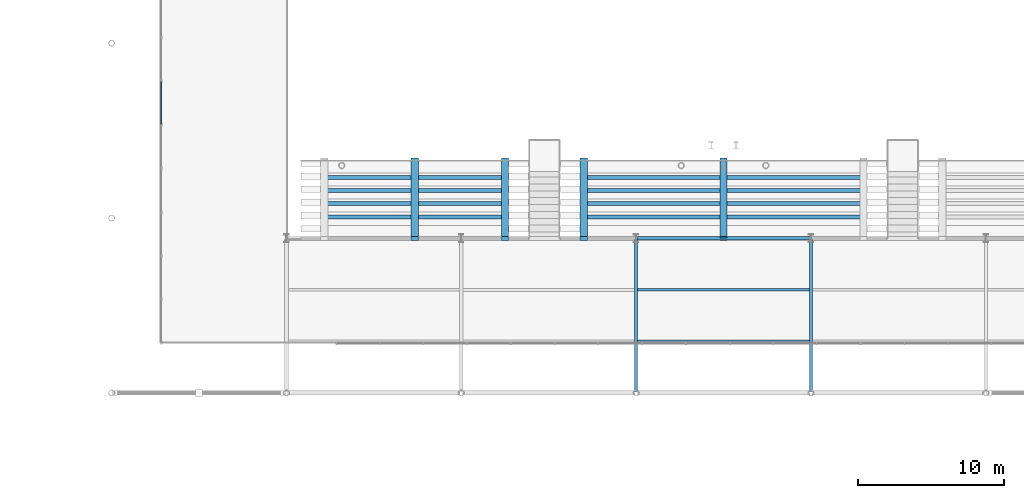
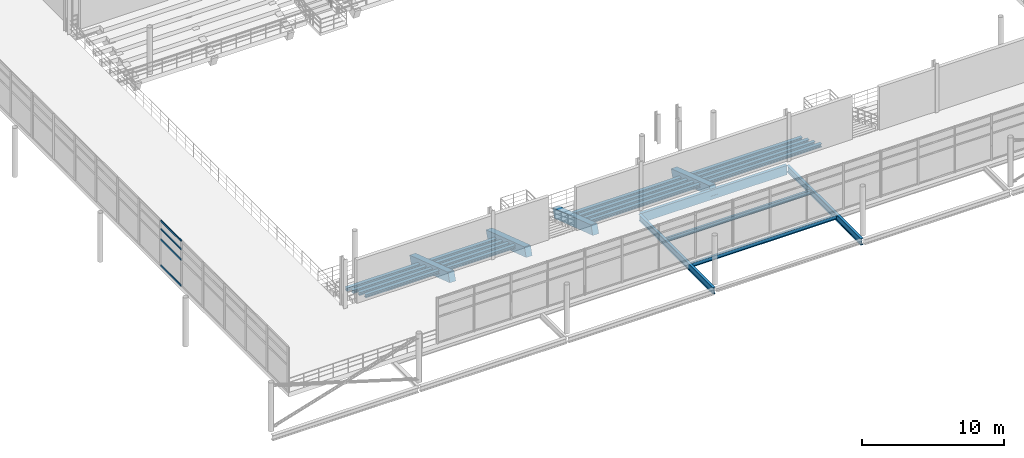
# One storey, part 28 of 89: 17 beams, 4 members, 1 element without a shape of its own.
"""IFC4 building model written with IfcOpenShell, lengths in metres."""

from ifc_helpers import new_model, si_unit, direction, frame, origin, origin_2d, place, context, subcontext, project, spatial, rectangle, i_section, extrude, material, material_profile, profile_set, type_object, element, aggregate, save


model = new_model("IFC4")

# Units and contexts
model_context = context("Model", 3, precision=1e-05, world=origin(), true_north=direction((0.0, 1.0)))
body_context = subcontext(model_context, "Body", "Model", "MODEL_VIEW")
ifc_project = project(units=[si_unit("LENGTHUNIT", "METRE"), si_unit("AREAUNIT", "SQUARE_METRE"), si_unit("VOLUMEUNIT", "CUBIC_METRE"), si_unit("PLANEANGLEUNIT", "RADIAN"), si_unit("MASSUNIT", "GRAM", prefix="KILO"), si_unit("THERMODYNAMICTEMPERATUREUNIT", "KELVIN"), si_unit("POWERUNIT", "WATT")], contexts=[model_context])

# Site, building, storey
site_placement = place(None, origin())
site = spatial("IfcSite", under=ifc_project, at=site_placement, CompositionType="ELEMENT")
building_placement = place(site_placement, origin())
building = spatial("IfcBuilding", under=site, at=building_placement, Name="Solmara Park Aquatics Centre", CompositionType="ELEMENT")
storey_placement = place(building_placement, frame((0.0, 0.0, 5.39990234375)))
storey = spatial("IfcBuildingStorey", under=building, at=storey_placement, Name="L01", CompositionType="ELEMENT", Elevation=5.39990234375)

# Curtain wall, members
ifc_material_1 = material(Name="Anodised Aluminium Curtain Wall Framing", Category="aluminium")
curtain_wall_type = type_object("IfcCurtainWallType", Name="ARC-CW-SYS05", PredefinedType="USERDEFINED", material=ifc_material_1)
curtain_wall_placement = place(storey_placement, origin())
curtain_wall = element("IfcCurtainWall", 1, at=curtain_wall_placement, inside=storey, type_object=curtain_wall_type, Name="Curtain Wall CW-014", ObjectType="CURTAIN WALL", PredefinedType="USERDEFINED")
ifc_material_2 = material(Name="Anodised Aluminium Alloy 6063-T6", Category="aluminium")
ifc_material_profile_1 = material_profile(ifc_material_2, rectangle(XDim=0.074951171875, YDim=0.14990234375, at=origin_2d()), Name="ALU TRANSOM 75x150")
ifc_profile_set_1 = profile_set([ifc_material_profile_1], Name="Anodised Aluminium Alloy 6063-T6")
member_type = type_object("IfcMemberType", Name="ARC-CWT-75x150", PredefinedType="USERDEFINED", material=ifc_profile_set_1)
member_1_placement = place(storey_placement, frame((16.0, 31.0400390625, 0.0400390625), z_axis=(0.0, 1.0, 0.0), x_axis=(-1.0, 0.0, 0.0)))
member_1 = element("IfcMember", 2, at=member_1_placement, type_object=member_type, Name="CW-014 transom 5", ObjectType="TRANSOM", PredefinedType="USERDEFINED", context=body_context, shape_type="SweptSolid", body=[
    extrude(rectangle(XDim=0.074951171875, YDim=0.14990234375, at=origin_2d()), origin(), (0.0, 0.0, 1.0), 2.89990234375),
])
member_2_placement = place(storey_placement, frame((16.0, 31.0400390625, 2.26220703125), z_axis=(0.0, 1.0, 0.0), x_axis=(-1.0, 0.0, 0.0)))
member_2 = element("IfcMember", 3, at=member_2_placement, type_object=member_type, Name="CW-014 transom 6", ObjectType="TRANSOM", PredefinedType="USERDEFINED", context=body_context, shape_type="SweptSolid", body=[
    extrude(rectangle(XDim=0.074951171875, YDim=0.14990234375, at=origin_2d()), origin(), (0.0, 0.0, 1.0), 2.89990234375),
])
member_3_placement = place(storey_placement, frame((16.0, 31.0400390625, 3.150146484375), z_axis=(0.0, 1.0, 0.0), x_axis=(-1.0, 0.0, 0.0)))
member_3 = element("IfcMember", 4, at=member_3_placement, type_object=member_type, Name="CW-014 transom 7", ObjectType="TRANSOM", PredefinedType="USERDEFINED", context=body_context, shape_type="SweptSolid", body=[
    extrude(rectangle(XDim=0.074951171875, YDim=0.14990234375, at=origin_2d()), origin(), (0.0, 0.0, 1.0), 2.89990234375),
])
member_4_placement = place(storey_placement, frame((16.0, 31.0400390625, 3.860107421875), z_axis=(0.0, 1.0, 0.0), x_axis=(-1.0, 0.0, 0.0)))
member_4 = element("IfcMember", 5, at=member_4_placement, type_object=member_type, Name="CW-014 transom 8", ObjectType="TRANSOM", PredefinedType="USERDEFINED", context=body_context, shape_type="SweptSolid", body=[
    extrude(rectangle(XDim=0.074951171875, YDim=0.14990234375, at=origin_2d()), origin(), (0.0, 0.0, 1.0), 2.89990234375),
])
aggregate(curtain_wall, [member_1, member_2, member_3, member_4])

# Beams
ifc_material_3 = material(Name="Glulam Timber GL28h", Category="wood")
ifc_material_profile_2 = material_profile(ifc_material_3, rectangle(XDim=0.239990234375, YDim=0.800048828125, at=origin_2d()), Name="GL28h 240x800")
ifc_profile_set_2 = profile_set([ifc_material_profile_2], Name="Glulam Timber GL28h")
beam_type_1 = type_object("IfcBeamType", Name="STR-BM-GL240x800", PredefinedType="BEAM", material=ifc_profile_set_2)
beam_placement = place(storey_placement, frame((48.679931640625, 23.199951171875, -0.7998046875), z_axis=(1.0, 0.0, 0.0), x_axis=(0.0, 1.0, 0.0)))
element("IfcBeam", 6, at=beam_placement, inside=storey, type_object=beam_type_1, Name="Girder BM-L01-0174", PredefinedType="BEAM", context=body_context, shape_type="SweptSolid", body=[
    extrude(rectangle(XDim=0.239990234375, YDim=0.800048828125, at=origin_2d()), origin(), (0.0, 0.0, 1.0), 11.840087890625),
])
ifc_material_4 = material(Name="Structural Steel S355", Category="steel")
ifc_material_profile_3 = material_profile(ifc_material_4, i_section(OverallWidth=0.280029296875, OverallDepth=0.27001953125, WebThickness=0.008056640625, FlangeThickness=0.012939453125, FilletRadius=0.02392578125, at=origin_2d()), Name="HEA 280")
ifc_profile_set_3 = profile_set([ifc_material_profile_3], Name="Structural Steel S355")
beam_type_2 = type_object("IfcBeamType", Name="STR-BM-HEA280", PredefinedType="BEAM", material=ifc_profile_set_3)
for number, where, z_axis, x_axis, name in (
    (7, (27.199951171875, 27.385009765625, -1.954833984375), (1.0, 0.0, 0.0), (0.0, 1.0, 0.0), "Lower Stand Cross-Tie Girder S1 Row 2"),
    (8, (27.199951171875, 26.485107421875, -1.594970703125), (1.0, 0.0, 0.0), (0.0, 1.0, 0.0), "Lower Stand Cross-Tie Girder S1 Row 3"),
    (9, (27.199951171875, 25.5849609375, -1.23486328125), (1.0, 0.0, 0.0), (0.0, 1.0, 0.0), "Lower Stand Cross-Tie Girder S1 Row 4"),
    (10, (27.199951171875, 24.68505859375, -0.875), (1.0, 0.0, 0.0), (0.0, 1.0, 0.0), "Lower Stand Cross-Tie Girder S1 Row 5"),
):
    element("IfcBeam", number, at=place(storey_placement, frame(where, z_axis=z_axis, x_axis=x_axis)), inside=storey, type_object=beam_type_2, Name=name, PredefinedType="BEAM", context=body_context, shape_type="SweptSolid", body=[
        extrude(i_section(OverallWidth=0.280029296875, OverallDepth=0.27001953125, WebThickness=0.008056640625, FlangeThickness=0.012939453125, FilletRadius=0.02392578125, at=origin_2d()), origin(), (0.0, 0.0, 1.0), 12.400146484375),
    ])
for number, where, z_axis, x_axis, name in (
    (11, (45.0, 27.385009765625, -1.954833984375), (1.0, 0.0, 0.0), (0.0, 1.0, 0.0), "Lower Stand Cross-Tie Girder S2 Row 2"),
    (12, (45.0, 26.485107421875, -1.594970703125), (1.0, 0.0, 0.0), (0.0, 1.0, 0.0), "Lower Stand Cross-Tie Girder S2 Row 3"),
    (13, (45.0, 25.5849609375, -1.23486328125), (1.0, 0.0, 0.0), (0.0, 1.0, 0.0), "Lower Stand Cross-Tie Girder S2 Row 4"),
    (14, (45.0, 24.68505859375, -0.875), (1.0, 0.0, 0.0), (0.0, 1.0, 0.0), "Lower Stand Cross-Tie Girder S2 Row 5"),
):
    element("IfcBeam", number, at=place(storey_placement, frame(where, z_axis=z_axis, x_axis=x_axis)), inside=storey, type_object=beam_type_2, Name=name, PredefinedType="BEAM", context=body_context, shape_type="SweptSolid", body=[
        extrude(i_section(OverallWidth=0.280029296875, OverallDepth=0.27001953125, WebThickness=0.008056640625, FlangeThickness=0.012939453125, FilletRadius=0.02392578125, at=origin_2d()), origin(), (0.0, 0.0, 1.0), 19.199951171875),
    ])
ifc_material_profile_4 = material_profile(ifc_material_4, i_section(OverallWidth=0.2099609375, OverallDepth=0.550048828125, WebThickness=0.010986328125, FlangeThickness=0.01708984375, FilletRadius=0.02392578125, at=origin_2d()), Name="IPE 550")
ifc_profile_set_4 = profile_set([ifc_material_profile_4], Name="Structural Steel S355")
beam_type_3 = type_object("IfcBeamType", Name="STR-BM-IPE550", PredefinedType="BEAM", material=ifc_profile_set_4)
for number, where, z_axis, x_axis, name in (
    (15, (48.60009765625, 12.679931640625, -0.6748046875), (0.0, 1.0, 0.0), (-1.0, 0.0, 0.0), "Girder BM-L01-0193"),
    (16, (60.60009765625, 12.679931640625, -0.6748046875), (0.0, 1.0, 0.0), (-1.0, 0.0, 0.0), "Girder BM-L01-0195"),
):
    element("IfcBeam", number, at=place(storey_placement, frame(where, z_axis=z_axis, x_axis=x_axis)), inside=storey, type_object=beam_type_3, Name=name, PredefinedType="BEAM", context=body_context, shape_type="SweptSolid", body=[
        extrude(i_section(OverallWidth=0.2099609375, OverallDepth=0.550048828125, WebThickness=0.010986328125, FlangeThickness=0.01708984375, FilletRadius=0.02392578125, at=origin_2d()), origin(), (0.0, 0.0, 1.0), 10.440185546875),
    ])
ifc_material_profile_5 = material_profile(ifc_material_4, i_section(OverallWidth=0.169921875, OverallDepth=0.360107421875, WebThickness=0.008056640625, FlangeThickness=0.0126953125, FilletRadius=0.01806640625, at=origin_2d()), Name="IPE 360")
ifc_profile_set_5 = profile_set([ifc_material_profile_5], Name="Structural Steel S355")
beam_type_4 = type_object("IfcBeamType", Name="STR-JST-IPE360", PredefinedType="JOIST", material=ifc_profile_set_5)
for number, where, z_axis, x_axis, name in (
    (17, (48.705078125, 16.13330078125, -0.579833984375), (1.0, 0.0, 0.0), (0.0, 1.0, 0.0), "Floor Joist JST-L01-0112"),
    (18, (48.705078125, 19.666748046875, -0.579833984375), (1.0, 0.0, 0.0), (0.0, 1.0, 0.0), "Floor Joist JST-L01-0113"),
):
    element("IfcBeam", number, at=place(storey_placement, frame(where, z_axis=z_axis, x_axis=x_axis)), inside=storey, type_object=beam_type_4, Name=name, PredefinedType="JOIST", context=body_context, shape_type="SweptSolid", body=[
        extrude(i_section(OverallWidth=0.169921875, OverallDepth=0.360107421875, WebThickness=0.008056640625, FlangeThickness=0.0126953125, FilletRadius=0.01806640625, at=origin_2d()), origin(), (0.0, 0.0, 1.0), 11.7900390625),
    ])
ifc_material_5 = material(Name="Concrete C40/50", Category="concrete")
ifc_material_profile_6 = material_profile(ifc_material_5, rectangle(XDim=0.5, YDim=0.800048828125, at=origin_2d()), Name="RC 500x800")
ifc_profile_set_6 = profile_set([ifc_material_profile_6], Name="Concrete C40/50")
beam_type_5 = type_object("IfcBeamType", Name="STR-RKR-RC500x800", PredefinedType="USERDEFINED", material=ifc_profile_set_6)
for number, where, z_axis, x_axis, name in (
    (19, (33.39990234375, 28.60009765625, -2.31982421875), (0.0, -0.948696164431, 0.316189164256), (1.0, 0.0, 0.0), "Spectator Stand RAKER Girder RKR-011"),
    (20, (39.60009765625, 28.60009765625, -2.31982421875), (0.0, -0.948696164431, 0.316189164256), (1.0, 0.0, 0.0), "Spectator Stand RAKER Girder RKR-012"),
    (21, (45.0, 28.60009765625, -2.31982421875), (0.0, -0.948696164431, 0.316189164256), (1.0, 0.0, 0.0), "Spectator Stand RAKER Girder RKR-013"),
    (22, (54.60009765625, 28.60009765625, -2.31982421875), (0.0, -0.948696164431, 0.316189164256), (1.0, 0.0, 0.0), "Spectator Stand RAKER Girder RKR-014"),
):
    element("IfcBeam", number, at=place(storey_placement, frame(where, z_axis=z_axis, x_axis=x_axis)), inside=storey, type_object=beam_type_5, Name=name, ObjectType="RAKER", PredefinedType="USERDEFINED", context=body_context, shape_type="SweptSolid", body=[
        extrude(rectangle(XDim=0.5, YDim=0.800048828125, at=origin_2d()), origin(), (0.0, 0.0, 1.0), 5.692138671875),
    ])

save(model, "model.ifc")
